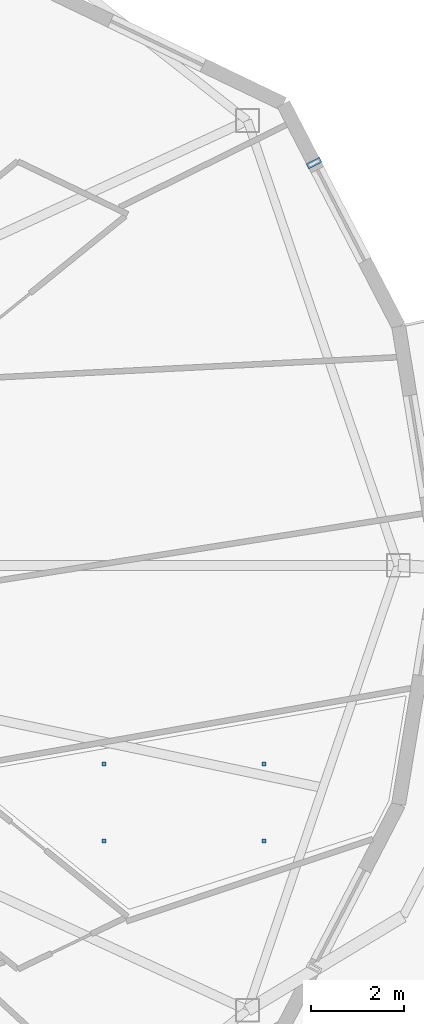
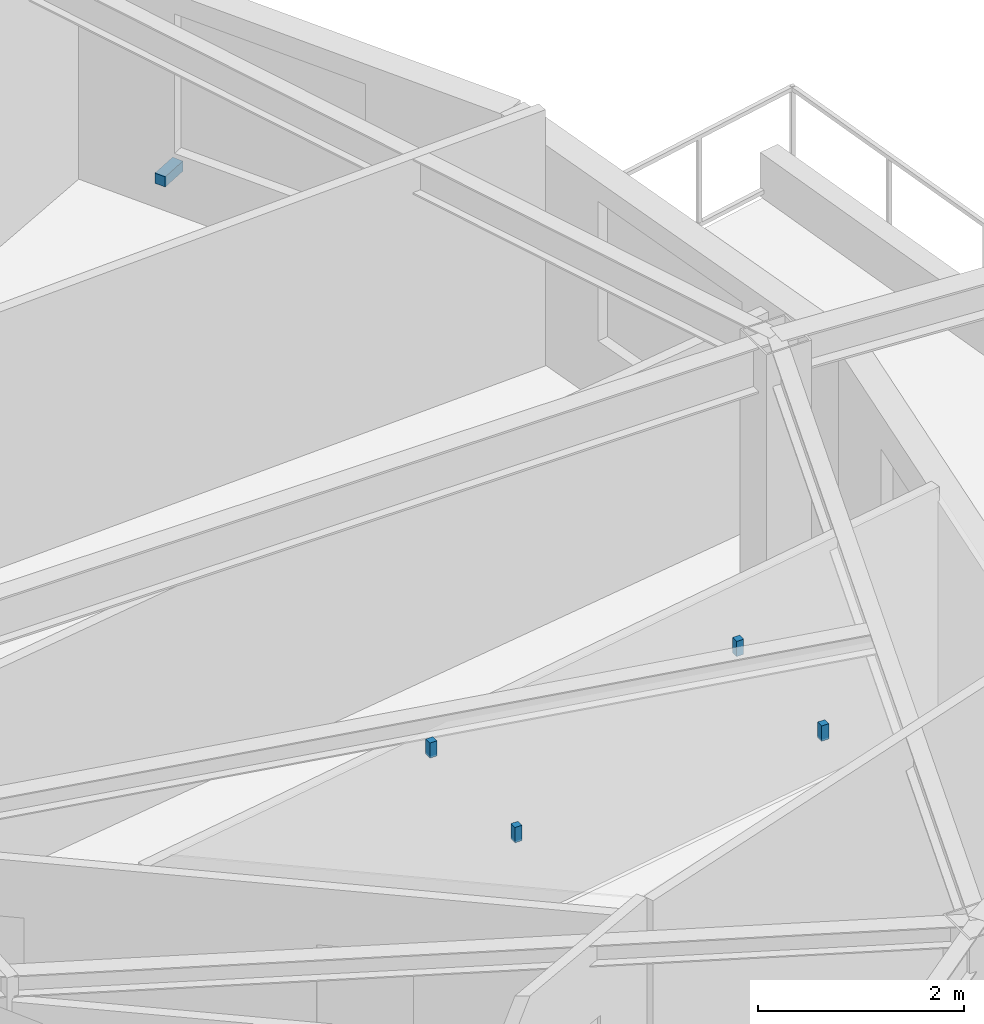
# One storey, part 8 of 14: 5 discrete accessories.
"""IFC4 building model written with IfcOpenShell, lengths in metres."""

import ifcopenshell
import ifcopenshell.guid

model = None  # the IFC model being written
_history = None  # IfcOwnerHistory: only IFC2X3 demands one
_inside = {}  # id of a spatial element -> (the spatial element, [elements in it])
_under = {}  # id of a project, library or spatial element -> (it, [spatial elements below it])
_declared = {}  # id of a project -> (the project, [libraries it declares])
_typed = {}  # id of a type object -> (the type object, [elements of that type])
_made_of = {}  # id of a material, layer set ... -> (it, [elements and type objects made of it])


def new_model(schema):
    """Start an empty IFC model of exactly this schema.

    Asked for "IFC4X3", IfcOpenShell would pick the latest addendum, in which some entities
    have other attributes; the version numbers below select the first issue.
    IFC2X3 requires an IfcOwnerHistory on every rooted entity: one is made here for all.
    """
    global model, _history
    if schema == "IFC4X3":
        model = ifcopenshell.file(schema_version=(4, 3, 0, 0))
    else:
        model = ifcopenshell.file(schema=schema)
    _inside.clear()
    _under.clear()
    _declared.clear()
    _typed.clear()
    _made_of.clear()
    _history = None
    if model.schema == "IFC2X3":
        org = make("IfcOrganization", Name="unknown")
        user = make(
            "IfcPersonAndOrganization",
            ThePerson=make("IfcPerson", FamilyName="unknown"),
            TheOrganization=org,
        )
        app = make(
            "IfcApplication",
            ApplicationDeveloper=org,
            Version="unknown",
            ApplicationFullName="unknown",
            ApplicationIdentifier="unknown",
        )
        _history = make(
            "IfcOwnerHistory",
            OwningUser=user,
            OwningApplication=app,
            ChangeAction="ADDED",
            CreationDate=0,
        )
    return model


def make(cls, **values):
    """One entity of the class cls with the attributes given. An attribute that is None is left unset."""
    return model.create_entity(
        cls, **{name: value for name, value in values.items() if value is not None}
    )


def rooted(cls, **values):
    """An entity with a GlobalId (a new one), such as an element, a storey or a relation."""
    return make(cls, GlobalId=ifcopenshell.guid.new(), OwnerHistory=_history, **values)


def si_unit(unit_type, name, prefix=None):
    """IfcSIUnit, for example si_unit("LENGTHUNIT", "METRE", prefix="MILLI")."""
    return make("IfcSIUnit", UnitType=unit_type, Prefix=prefix, Name=name)


def assignment(units):
    """IfcUnitAssignment: the units of a project."""
    return None if units is None else make("IfcUnitAssignment", Units=units)


def point(xyz):
    """IfcCartesianPoint."""
    return None if xyz is None else make("IfcCartesianPoint", Coordinates=xyz)


def direction(xyz):
    """IfcDirection."""
    return None if xyz is None else make("IfcDirection", DirectionRatios=xyz)


def frame(location, z_axis=None, x_axis=None):
    """IfcAxis2Placement3D, a coordinate frame: its origin and axes. An axis left out is left unset."""
    return make(
        "IfcAxis2Placement3D",
        Location=point(location),
        Axis=direction(z_axis),
        RefDirection=direction(x_axis),
    )


def frame_2d(location, x_axis=None):
    """IfcAxis2Placement2D, a coordinate frame in the plane: its origin and x axis."""
    return make(
        "IfcAxis2Placement2D", Location=point(location), RefDirection=direction(x_axis)
    )


def origin():
    """The frame at (0, 0, 0) with its axes left unset."""
    return frame((0.0, 0.0, 0.0))


def origin_2d():
    """The frame at (0, 0) in the plane with its x axis left unset."""
    return frame_2d((0.0, 0.0))


def place(relative_to, where):
    """IfcLocalPlacement: puts the frame where relative to a parent placement (None: the world)."""
    return make(
        "IfcLocalPlacement", PlacementRelTo=relative_to, RelativePlacement=where
    )


def context(
    kind, dimensions, precision=None, world=None, true_north=None, identifier=None
):
    """IfcGeometricRepresentationContext, for example the 3D "Model" context."""
    return make(
        "IfcGeometricRepresentationContext",
        ContextIdentifier=identifier,
        ContextType=kind,
        CoordinateSpaceDimension=dimensions,
        Precision=precision,
        WorldCoordinateSystem=world,
        TrueNorth=true_north,
    )


def subcontext(parent, identifier, kind, view, scale=None):
    """IfcGeometricRepresentationSubContext, for example "Body" below "Model"."""
    return make(
        "IfcGeometricRepresentationSubContext",
        ContextIdentifier=identifier,
        ContextType=kind,
        ParentContext=parent,
        TargetScale=scale,
        TargetView=view,
    )


def project(units=None, contexts=None):
    """IfcProject with its units and contexts."""
    return rooted(
        "IfcProject",
        Name="project",
        RepresentationContexts=contexts,
        UnitsInContext=assignment(units),
    )


def spatial(cls, under=None, at=None, **own):
    """A site, building, storey or space (cls), placed at a placement, below another one or the project."""
    s = rooted(cls, ObjectPlacement=at, **own)
    if under is not None:
        _under.setdefault(under.id(), (under, []))[1].append(s)
    return s


def profile(cls, at=None, kind="AREA", **sizes):
    """A parametric profile (cls). Its sizes go by their IFC names, for example OverallWidth=200.0."""
    return make(cls, ProfileType=kind, Position=at, **sizes)


def rectangle(**sizes):
    """IfcRectangleProfileDef."""
    return profile("IfcRectangleProfileDef", **sizes)


def extrude(swept, where, along, depth):
    """IfcExtrudedAreaSolid: the profile swept, set in the frame where, extruded along a direction by depth."""
    return make(
        "IfcExtrudedAreaSolid",
        SweptArea=swept,
        Position=where,
        ExtrudedDirection=direction(along),
        Depth=depth,
    )


def shape(context_of_items, identifier, shape_type, items):
    """IfcShapeRepresentation: the items that make up one representation, for example the "Body"."""
    return make(
        "IfcShapeRepresentation",
        ContextOfItems=context_of_items,
        RepresentationIdentifier=identifier,
        RepresentationType=shape_type,
        Items=items,
    )


def material(Name=None, Category=None):
    """IfcMaterial."""
    return make("IfcMaterial", Name=Name, Category=Category)


def made_of(thing, what):
    """Note that an element or type object is made of a material, layer set ...; save() writes the relation."""
    if what is not None:
        _made_of.setdefault(what.id(), (what, []))[1].append(thing)
    return thing


def type_object(cls, material=None, **own):
    """A type object (cls), such as IfcWallType, which elements share."""
    return made_of(rooted(cls, **own), material)


def element(
    cls,
    number,
    at=None,
    inside=None,
    cuts=None,
    type_object=None,
    material=None,
    context=None,
    identifier="Body",
    shape_type=None,
    held_by="IfcProductDefinitionShape",
    body=None,
    shapes=None,
    **own,
):
    """One element of the class cls, such as IfcWall. Its Tag is "e" and its number.

    at: its placement. inside: the storey or other place that contains it. cuts: it is an
    opening in that element (IfcRelVoidsElement). A single representation is given by context,
    identifier, shape_type and body (its items); several are given by shapes. held_by: the class
    of the entity that holds the representations. save() writes the other relations.
    """
    e = rooted(cls, Tag="e%d" % number, ObjectPlacement=at, **own)
    if body is not None:
        shapes = [shape(context, identifier, shape_type, body)]
    if shapes is not None:
        e.Representation = make(held_by, Representations=shapes)
    if inside is not None:
        _inside.setdefault(inside.id(), (inside, []))[1].append(e)
    if cuts is not None:
        rooted(
            "IfcRelVoidsElement", RelatingBuildingElement=cuts, RelatedOpeningElement=e
        )
    if type_object is not None:
        _typed.setdefault(type_object.id(), (type_object, []))[1].append(e)
    return made_of(e, material)


def aggregate(whole, parts):
    """IfcRelAggregates: a whole, such as a stair, and the parts it consists of."""
    return rooted("IfcRelAggregates", RelatingObject=whole, RelatedObjects=parts)


def save(model, path):
    """Write the relations noted so far, then the file.

    IfcRelAggregates (storeys below a building ...), IfcRelContainedInSpatialStructure (elements
    in a storey), IfcRelDefinesByType, IfcRelAssociatesMaterial and IfcRelDeclares: one each for
    every whole, place, type object, material and project.
    """
    for whole, parts in _under.values():
        aggregate(whole, parts)
    for where, things in _inside.values():
        rooted(
            "IfcRelContainedInSpatialStructure",
            RelatedElements=things,
            RelatingStructure=where,
        )
    for kind, things in _typed.values():
        rooted("IfcRelDefinesByType", RelatedObjects=things, RelatingType=kind)
    for what, things in _made_of.values():
        rooted("IfcRelAssociatesMaterial", RelatedObjects=things, RelatingMaterial=what)
    for by, libraries in _declared.values():
        rooted("IfcRelDeclares", RelatingContext=by, RelatedDefinitions=libraries)
    model.write(path)


model = new_model("IFC4")

# Units and contexts
model_context = context("Model", 3, precision=1e-05, world=origin(), true_north=direction((0.0, 1.0)))
body_context = subcontext(model_context, "Body", "Model", "MODEL_VIEW")
ifc_project = project(units=[si_unit("LENGTHUNIT", "METRE"), si_unit("AREAUNIT", "SQUARE_METRE"), si_unit("VOLUMEUNIT", "CUBIC_METRE"), si_unit("PLANEANGLEUNIT", "RADIAN"), si_unit("MASSUNIT", "GRAM", prefix="KILO")], contexts=[model_context])

# Site, building, storey
site_placement = place(None, origin())
site = spatial("IfcSite", under=ifc_project, at=site_placement, CompositionType="ELEMENT")
building_placement = place(site_placement, origin())
building = spatial("IfcBuilding", under=site, at=building_placement, Name="Kolvaren Gate Tower and Convention Centre", CompositionType="ELEMENT")
storey_placement = place(building_placement, frame((0.0, 0.0, 222.800048828125)))
storey = spatial("IfcBuildingStorey", under=building, at=storey_placement, Name="L59", CompositionType="ELEMENT", Elevation=222.800048828125)

# Discrete accessories
ifc_material_1 = material(Name="Anodized Architectural Aluminium Alloy 6063-T6", Category="aluminium")
discrete_accessory_type_1 = type_object("IfcDiscreteAccessoryType", Name="ARCH-ACC-BRACKET-120", PredefinedType="BRACKET", material=ifc_material_1)
discrete_accessory_placement = place(storey_placement, frame((52.21630859375, 35.631103515625, 0.289794921875), z_axis=(0.0, 0.0, 1.0), x_axis=(0.459799959359, -0.888022520758, 0.0)))
element("IfcDiscreteAccessory", 1, at=discrete_accessory_placement, inside=storey, type_object=discrete_accessory_type_1, Name="Ceramic Fin Wall Anchor Bracket FBK-L59-01", PredefinedType="BRACKET", context=body_context, shape_type="SweptSolid", body=[
    extrude(rectangle(XDim=0.1201171875, YDim=0.320068359375, at=origin_2d()), origin(), (0.0, 0.0, 1.0), 0.1201171875),
])
ifc_material_2 = material(Name="Brushed Stainless Steel Grade 316L", Category="steel")
discrete_accessory_type_2 = type_object("IfcDiscreteAccessoryType", Name="ARCH-ACC-HANGER-80", PredefinedType="BRACKET", material=ifc_material_2)
for number, where, z_axis, x_axis, name in (
    (2, (47.708984375, 21.087890625, 2.85009765625), (0.0, 0.0, 1.0), (1.0, 0.0, 0.0), "Resident Sauna and Wellness Spa Ceiling Suspension Hanger Clip 1"),
    (3, (51.14111328125, 21.087890625, 2.85009765625), (0.0, 0.0, 1.0), (1.0, 0.0, 0.0), "Resident Sauna and Wellness Spa Ceiling Suspension Hanger Clip 2"),
    (4, (47.708984375, 22.738037109375, 2.85009765625), (0.0, 0.0, 1.0), (1.0, 0.0, 0.0), "Resident Sauna and Wellness Spa Ceiling Suspension Hanger Clip 3"),
    (5, (51.14111328125, 22.738037109375, 2.85009765625), (0.0, 0.0, 1.0), (1.0, 0.0, 0.0), "Resident Sauna and Wellness Spa Ceiling Suspension Hanger Clip 4"),
):
    element("IfcDiscreteAccessory", number, at=place(storey_placement, frame(where, z_axis=z_axis, x_axis=x_axis)), inside=storey, type_object=discrete_accessory_type_2, Name=name, PredefinedType="BRACKET", context=body_context, shape_type="SweptSolid", body=[
        extrude(rectangle(XDim=0.080078125, YDim=0.080078125, at=origin_2d()), origin(), (0.0, 0.0, 1.0), 0.179931640625),
    ])

save(model, "model.ifc")
